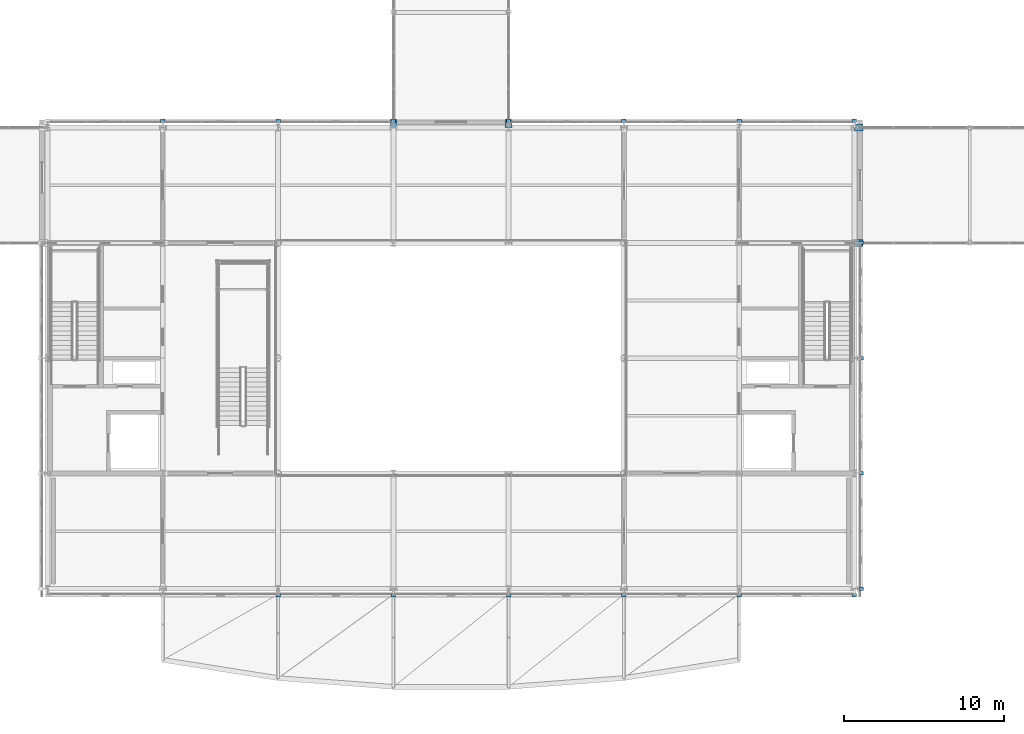
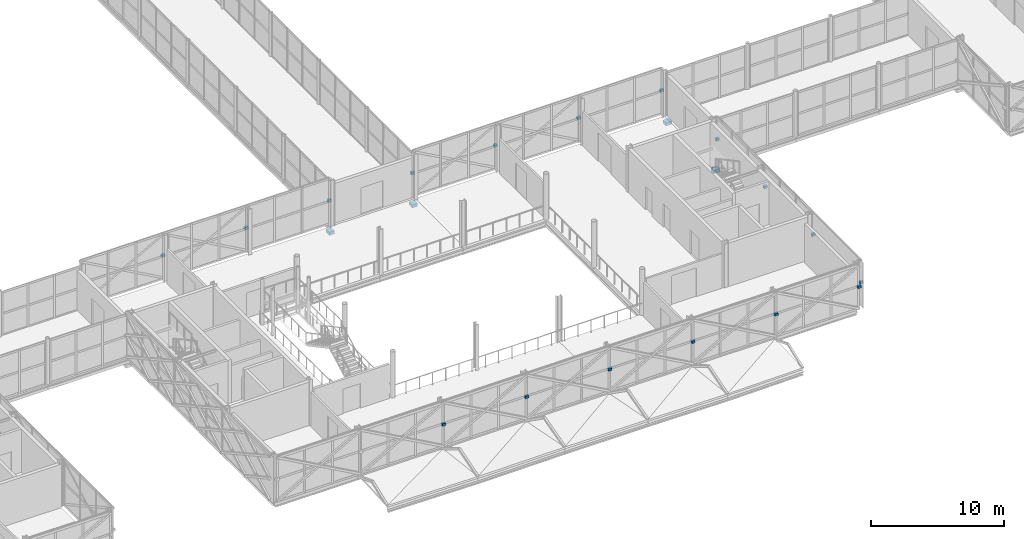
# One storey, part 129 of 146: 21 discrete accessories.
"""IFC4 building model written with IfcOpenShell, lengths in metres."""

from ifc_helpers import new_model, si_unit, direction, frame, origin, origin_2d, place, context, subcontext, project, spatial, rectangle, extrude, material, type_object, element, save


model = new_model("IFC4")

# Units and contexts
model_context = context("Model", 3, precision=1e-05, world=origin(), true_north=direction((0.0, 1.0)))
body_context = subcontext(model_context, "Body", "Model", "MODEL_VIEW")
ifc_project = project(units=[si_unit("LENGTHUNIT", "METRE"), si_unit("AREAUNIT", "SQUARE_METRE"), si_unit("VOLUMEUNIT", "CUBIC_METRE"), si_unit("PLANEANGLEUNIT", "RADIAN"), si_unit("MASSUNIT", "GRAM", prefix="KILO")], contexts=[model_context])

# Site, building, storey
site_placement = place(None, origin())
site = spatial("IfcSite", under=ifc_project, at=site_placement, CompositionType="ELEMENT")
building_placement = place(site_placement, origin())
building = spatial("IfcBuilding", under=site, at=building_placement, Name="Zlatovets Crest Museum", CompositionType="ELEMENT")
storey_placement = place(building_placement, frame((0.0, 0.0, 4.5)))
storey = spatial("IfcBuildingStorey", under=building, at=storey_placement, Name="L01", CompositionType="ELEMENT", Elevation=4.5)

# Discrete accessories
ifc_material = material(Name="Structural steel S355J2", Category="steel")
discrete_accessory_type_1 = type_object("IfcDiscreteAccessoryType", Name="BridgeBearingSeat_BS01", PredefinedType="SHOE", material=ifc_material)
for number, where, z_axis, x_axis, name in (
    (1, (108.260009765625, 21.60009765625, -0.7998046875), (0.0, 0.0, 1.0), (1.0, 0.0, 0.0), "Southeast Archive Glazed Link Bridge L01 520mm Sliding Bearing Seat Corbel Shoe"),
    (2, (108.260009765625, 28.800048828125, -0.7998046875), (0.0, 0.0, 1.0), (1.0, 0.0, 0.0), "Southeast Archive Glazed Link Bridge L01 520mm Sliding Bearing Seat Corbel Shoe"),
):
    element("IfcDiscreteAccessory", number, at=place(storey_placement, frame(where, z_axis=z_axis, x_axis=x_axis)), inside=storey, type_object=discrete_accessory_type_1, Name=name, PredefinedType="SHOE", context=body_context, shape_type="SweptSolid", body=[
        extrude(rectangle(XDim=0.52001953125, YDim=0.449951171875, at=origin_2d()), origin(), (0.0, 0.0, 1.0), 0.280029296875),
    ])
for number, where, z_axis, x_axis, name in (
    (3, (79.199951171875, 29.06005859375, -0.7998046875), (0.0, 0.0, 1.0), (1.0, 0.0, 0.0), "Central Sculpture Court Cloister and Skywalk L01 520mm Sliding Bearing Seat Corbel Shoe"),
    (4, (86.39990234375, 29.06005859375, -0.7998046875), (0.0, 0.0, 1.0), (1.0, 0.0, 0.0), "Central Sculpture Court Cloister and Skywalk L01 520mm Sliding Bearing Seat Corbel Shoe"),
):
    element("IfcDiscreteAccessory", number, at=place(storey_placement, frame(where, z_axis=z_axis, x_axis=x_axis)), inside=storey, type_object=discrete_accessory_type_1, Name=name, PredefinedType="SHOE", context=body_context, shape_type="SweptSolid", body=[
        extrude(rectangle(XDim=0.449951171875, YDim=0.52001953125, at=origin_2d()), origin(), (0.0, 0.0, 1.0), 0.280029296875),
    ])
discrete_accessory_type_2 = type_object("IfcDiscreteAccessoryType", Name="LatticeBracket_BK01", PredefinedType="BRACKET", material=ifc_material)
for number, where, z_axis, x_axis, name in (
    (5, (72.0, -0.419921875, 1.990234375), (0.0, 0.0, 1.0), (1.0, 0.0, 0.0), "Bronze Lattice Structural Collector Bracket"),
    (6, (79.199951171875, -0.419921875, 1.990234375), (0.0, 0.0, 1.0), (1.0, 0.0, 0.0), "Bronze Lattice Structural Collector Bracket"),
    (7, (86.39990234375, -0.419921875, 1.990234375), (0.0, 0.0, 1.0), (1.0, 0.0, 0.0), "Bronze Lattice Structural Collector Bracket"),
    (8, (93.60009765625, -0.419921875, 1.990234375), (0.0, 0.0, 1.0), (1.0, 0.0, 0.0), "Bronze Lattice Structural Collector Bracket"),
    (9, (100.800048828125, -0.419921875, 1.990234375), (0.0, 0.0, 1.0), (1.0, 0.0, 0.0), "Bronze Lattice Structural Collector Bracket"),
    (10, (108.0, -0.419921875, 1.990234375), (0.0, 0.0, 1.0), (1.0, 0.0, 0.0), "Bronze Lattice Structural Collector Bracket"),
    (11, (108.419921875, 0.0, 1.990234375), (0.0, 0.0, 1.0), (1.0, 0.0, 0.0), "Bronze Lattice Structural Collector Bracket"),
    (12, (108.419921875, 7.199951171875, 1.990234375), (0.0, 0.0, 1.0), (1.0, 0.0, 0.0), "Bronze Lattice Structural Collector Bracket"),
    (13, (108.419921875, 14.39990234375, 1.990234375), (0.0, 0.0, 1.0), (1.0, 0.0, 0.0), "Bronze Lattice Structural Collector Bracket"),
    (14, (108.419921875, 21.60009765625, 1.990234375), (0.0, 0.0, 1.0), (1.0, 0.0, 0.0), "Bronze Lattice Structural Collector Bracket"),
    (15, (108.0, 29.219970703125, 1.990234375), (0.0, 0.0, 1.0), (1.0, 0.0, 0.0), "Bronze Lattice Structural Collector Bracket"),
    (16, (100.800048828125, 29.219970703125, 1.990234375), (0.0, 0.0, 1.0), (1.0, 0.0, 0.0), "Bronze Lattice Structural Collector Bracket"),
    (17, (93.60009765625, 29.219970703125, 1.990234375), (0.0, 0.0, 1.0), (1.0, 0.0, 0.0), "Bronze Lattice Structural Collector Bracket"),
    (18, (86.39990234375, 29.219970703125, 1.990234375), (0.0, 0.0, 1.0), (1.0, 0.0, 0.0), "Bronze Lattice Structural Collector Bracket"),
    (19, (79.199951171875, 29.219970703125, 1.990234375), (0.0, 0.0, 1.0), (1.0, 0.0, 0.0), "Bronze Lattice Structural Collector Bracket"),
    (20, (72.0, 29.219970703125, 1.990234375), (0.0, 0.0, 1.0), (1.0, 0.0, 0.0), "Bronze Lattice Structural Collector Bracket"),
    (21, (64.800048828125, 29.219970703125, 1.990234375), (0.0, 0.0, 1.0), (1.0, 0.0, 0.0), "Bronze Lattice Structural Collector Bracket"),
):
    element("IfcDiscreteAccessory", number, at=place(storey_placement, frame(where, z_axis=z_axis, x_axis=x_axis)), inside=storey, type_object=discrete_accessory_type_2, Name=name, PredefinedType="BRACKET", context=body_context, shape_type="SweptSolid", body=[
        extrude(rectangle(XDim=0.280029296875, YDim=0.219970703125, at=origin_2d()), origin(), (0.0, 0.0, 1.0), 0.219970703125),
    ])

save(model, "model.ifc")
